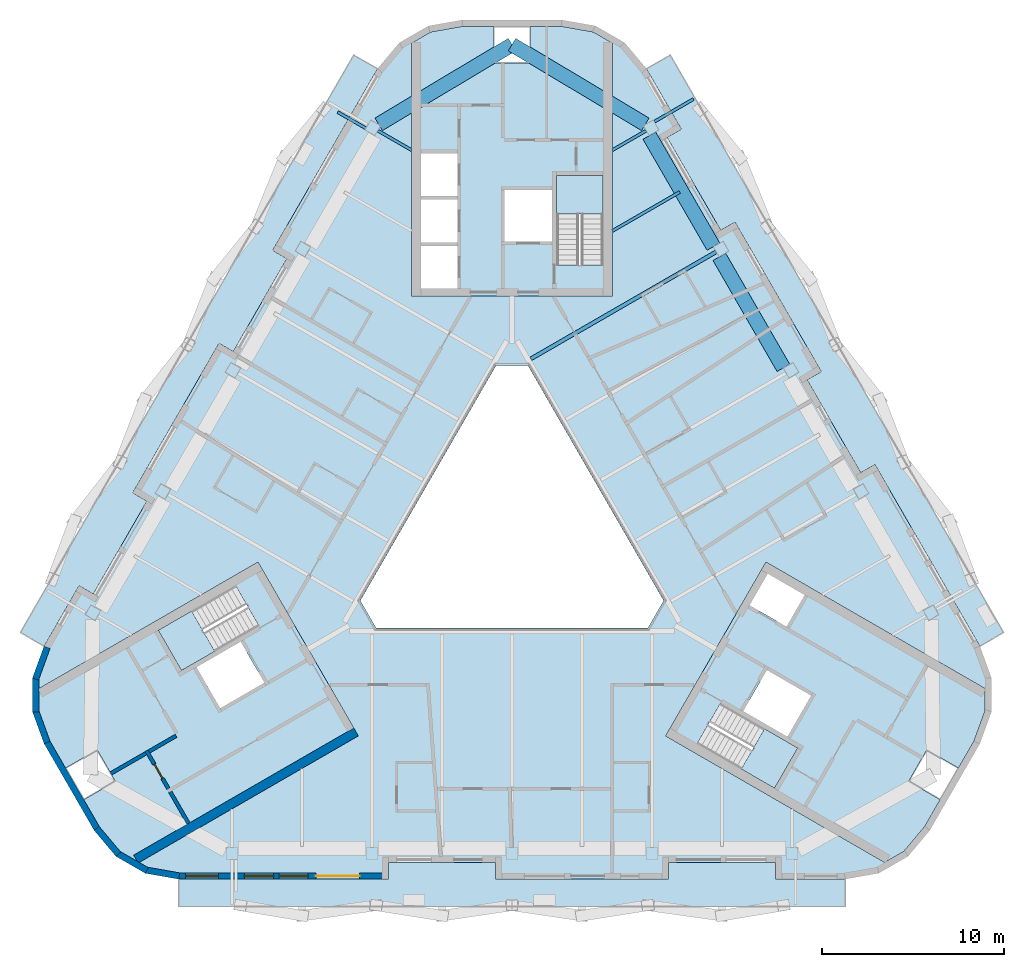
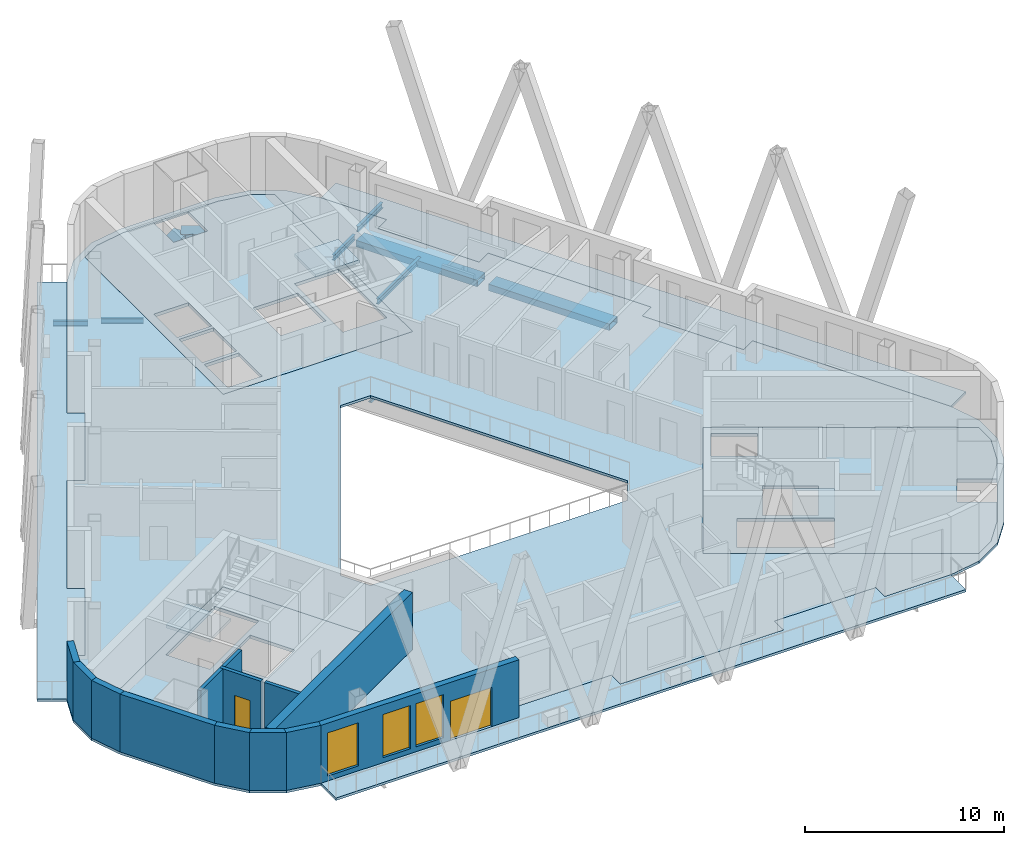
# One storey, part 2 of 14: 13 walls, 10 beams, 10 slabs, 3 windows, 2 doors, 5 openings, 3 elements without a shape of their own.
"""IFC4 building model written with IfcOpenShell, lengths in metres."""

from ifc_helpers import new_model, si_unit, direction, frame, frame_2d, origin, origin_2d, place, context, subcontext, project, spatial, polyline, rectangle, hollow_rectangle, i_section, outline, extrude, material, layer, layer_set, material_profile, profile_set, type_object, element, fill, aggregate, save


model = new_model("IFC4")

# Units and contexts
model_context = context("Model", 3, precision=1e-05, world=origin(), true_north=direction((0.0, 1.0)))
body_context = subcontext(model_context, "Body", "Model", "MODEL_VIEW")
ifc_project = project(units=[si_unit("LENGTHUNIT", "METRE"), si_unit("AREAUNIT", "SQUARE_METRE"), si_unit("VOLUMEUNIT", "CUBIC_METRE"), si_unit("PLANEANGLEUNIT", "RADIAN"), si_unit("MASSUNIT", "GRAM", prefix="KILO")], contexts=[model_context])

# Site, building, storey
site_placement = place(None, origin())
site = spatial("IfcSite", under=ifc_project, at=site_placement, CompositionType="ELEMENT")
building_placement = place(site_placement, origin())
building = spatial("IfcBuilding", under=site, at=building_placement, Name="Apuvela Tower Hotel", CompositionType="ELEMENT")
storey_placement = place(building_placement, frame((0.0, 0.0, 257.800048828125)))
storey = spatial("IfcBuildingStorey", under=building, at=storey_placement, Name="L63", CompositionType="ELEMENT", Elevation=257.800048828125)

# Beams
ifc_material_1 = material(Name="Steel S355", Category="steel")
ifc_material_profile_1 = material_profile(ifc_material_1, i_section(OverallWidth=0.159912109375, OverallDepth=0.330078125, WebThickness=0.007568359375, FlangeThickness=0.011474609375, at=origin_2d()), Name="IPE 330")
ifc_profile_set_1 = profile_set([ifc_material_profile_1], Name="Steel S355")
beam_type_1 = type_object("IfcBeamType", Name="ENV-BALCONY-BEAM-IPE330", PredefinedType="BEAM", material=ifc_profile_set_1)
beam_1_placement = place(storey_placement, frame((7.80615234375, 22.455078125, -0.31494140625), z_axis=(0.866031185235, 0.4999899861, 0.0), x_axis=(-0.4999899861, 0.866031185235, 0.0)))
element("IfcBeam", 1, at=beam_1_placement, inside=storey, type_object=beam_type_1, Name="Balcony cantilever beam NE3 L63", PredefinedType="BEAM", context=body_context, shape_type="SweptSolid", body=[
    extrude(i_section(OverallWidth=0.159912109375, OverallDepth=0.330078125, WebThickness=0.007568359375, FlangeThickness=0.011474609375, at=origin_2d()), origin(), (0.0, 0.0, 1.0), 2.47509765625),
])
beam_2_placement = place(storey_placement, frame((-8.01611328125, 22.09130859375, -0.31494140625), z_axis=(-0.866059624469, 0.499940723351, 0.0), x_axis=(-0.499940723351, -0.866059624469, 0.0)))
element("IfcBeam", 2, at=beam_2_placement, inside=storey, type_object=beam_type_1, Name="Balcony cantilever beam NW2 L63", PredefinedType="BEAM", context=body_context, shape_type="SweptSolid", body=[
    extrude(i_section(OverallWidth=0.159912109375, OverallDepth=0.330078125, WebThickness=0.007568359375, FlangeThickness=0.011474609375, at=origin_2d()), origin(), (0.0, 0.0, 1.0), 1.775146484375),
])
ifc_material_profile_2 = material_profile(ifc_material_1, i_section(OverallWidth=0.159912109375, OverallDepth=0.330078125, WebThickness=0.007568359375, FlangeThickness=0.011474609375, at=origin_2d()), Name="IPE 330")
ifc_profile_set_2 = profile_set([ifc_material_profile_2], Name="Steel S355")
beam_type_2 = type_object("IfcBeamType", Name="STR-B floor beam IPE 330", PredefinedType="BEAM", material=ifc_profile_set_2)
beam_3_placement = place(storey_placement, frame((9.1962890625, 18.597412109375, -0.31494140625), z_axis=(-0.866027461465, -0.499996435975, 0.0), x_axis=(0.499996435975, -0.866027461465, 0.0)))
element("IfcBeam", 3, at=beam_3_placement, inside=storey, type_object=beam_type_2, Name="Floor beam B1 NE8", PredefinedType="BEAM", context=body_context, shape_type="SweptSolid", body=[
    extrude(i_section(OverallWidth=0.159912109375, OverallDepth=0.330078125, WebThickness=0.007568359375, FlangeThickness=0.011474609375, at=origin_2d()), origin(), (0.0, 0.0, 1.0), 4.26806640625),
])
for number, where, z_axis, x_axis, name in (
    (4, (7.34326171875, 21.956787109375, -0.31494140625), (-0.866025132214, -0.500000470374, 0.0), (0.500000470374, -0.866025132214, 0.0), "Floor beam B1 NE9"),
    (5, (-7.34326171875, 21.956787109375, -0.31494140625), (0.866025132214, -0.500000470374, 0.0), (0.500000470374, 0.866025132214, 0.0), "Floor beam B1 NW1"),
):
    element("IfcBeam", number, at=place(storey_placement, frame(where, z_axis=z_axis, x_axis=x_axis)), inside=storey, type_object=beam_type_2, Name=name, PredefinedType="BEAM", context=body_context, shape_type="SweptSolid", body=[
        extrude(i_section(OverallWidth=0.159912109375, OverallDepth=0.330078125, WebThickness=0.007568359375, FlangeThickness=0.011474609375, at=origin_2d()), origin(), (0.0, 0.0, 1.0), 2.12841796875),
    ])
ifc_material_profile_3 = material_profile(ifc_material_1, i_section(OverallWidth=0.2099609375, OverallDepth=0.550048828125, WebThickness=0.010986328125, FlangeThickness=0.01708984375, at=origin_2d()), Name="IPE 550")
ifc_profile_set_3 = profile_set([ifc_material_profile_3], Name="Steel S355")
beam_type_3 = type_object("IfcBeamType", Name="STR-B floor beam IPE 550", PredefinedType="BEAM", material=ifc_profile_set_3)
beam_4_placement = place(storey_placement, frame((11.17919921875, 15.31298828125, -0.425048828125), z_axis=(-0.866026678465, -0.499997792181, 0.0), x_axis=(0.499997792181, -0.866026678465, 0.0)))
element("IfcBeam", 6, at=beam_4_placement, inside=storey, type_object=beam_type_3, Name="Floor beam B7 NE7", PredefinedType="BEAM", context=body_context, shape_type="SweptSolid", body=[
    extrude(i_section(OverallWidth=0.2099609375, OverallDepth=0.550048828125, WebThickness=0.010986328125, FlangeThickness=0.01708984375, at=origin_2d()), origin(), (0.0, 0.0, 1.0), 11.7177734375),
])
ifc_material_2 = material(Name="Steel S460", Category="steel")
ifc_material_profile_4 = material_profile(ifc_material_2, hollow_rectangle(XDim=0.800048828125, YDim=0.39990234375, WallThickness=0.02490234375, at=origin_2d()), Name="BOX 800x400x25")
ifc_profile_set_4 = profile_set([ifc_material_profile_4], Name="Steel S460")
beam_type_4 = type_object("IfcBeamType", Name="STR-RB perimeter ring beam BOX 800x400x25", PredefinedType="SPANDREL", material=ifc_profile_set_4)
for number, where, z_axis, x_axis, name in (
    (7, (14.874267578125, 8.962890625, -0.400146484375), (-0.500009374365, 0.866019991425, 0.0), (-0.866019991425, -0.500009374365, 0.0), "Ring beam RB1 NE3"),
    (8, (11.038330078125, 15.60693359375, -0.400146484375), (-0.500009374365, 0.866019991425, 0.0), (-0.866019991425, -0.500009374365, 0.0), "Ring beam RB1 NE4"),
):
    element("IfcBeam", number, at=place(storey_placement, frame(where, z_axis=z_axis, x_axis=x_axis)), inside=storey, type_object=beam_type_4, Name=name, PredefinedType="SPANDREL", context=body_context, shape_type="SweptSolid", body=[
        extrude(hollow_rectangle(XDim=0.800048828125, YDim=0.39990234375, WallThickness=0.02490234375, at=origin_2d()), origin(), (0.0, 0.0, 1.0), 7.021728515625),
    ])
for number, where, z_axis, x_axis, name in (
    (9, (7.305419921875, 22.310302734375, -0.400146484375), (-0.858387658138, 0.51300158709, 0.0), (-0.51300158709, -0.858387658138, 0.0), "Ring beam RB1 NE5-N"),
    (10, (-7.305419921875, 22.310302734375, -0.400146484375), (0.858387658138, 0.51300158709, 0.0), (-0.51300158709, 0.858387658138, 0.0), "Ring beam RB1 NW1-N"),
):
    element("IfcBeam", number, at=place(storey_placement, frame(where, z_axis=z_axis, x_axis=x_axis)), inside=storey, type_object=beam_type_4, Name=name, PredefinedType="SPANDREL", context=body_context, shape_type="SweptSolid", body=[
        extrude(hollow_rectangle(XDim=0.800048828125, YDim=0.39990234375, WallThickness=0.02490234375, at=origin_2d()), origin(), (0.0, 0.0, 1.0), 8.5107421875),
    ])

# Slabs
ifc_material_3 = material(Name="Concrete C50/60", Category="concrete")
ifc_layer_1 = layer(ifc_material_3, 0.199951171875)
ifc_layer_set_1 = layer_set([ifc_layer_1], Name="COR-FLOOR-200")
slab_type_1 = type_object("IfcSlabType", Name="COR-FLOOR-200", PredefinedType="FLOOR", material=ifc_layer_set_1)
slab_1_placement = place(storey_placement, frame((0.0, 0.0, -0.199951171875)))
element("IfcSlab", 11, at=slab_1_placement, inside=storey, type_object=slab_type_1, Name="Core floor N", PredefinedType="FLOOR", context=body_context, shape_type="SweptSolid", body=[
    extrude(outline(polyline([(5.5, 26.765380859375), (4.452392578125, 27.3701171875), (2.716796875, 27.67626953125), (1.0, 27.67626953125), (1.0, 25.67626953125), (-1.0, 25.67626953125), (-1.0, 27.67626953125), (-2.716796875, 27.67626953125), (-4.452392578125, 27.3701171875), (-5.5, 26.765380859375), (-5.5, 12.89990234375), (5.5, 12.89990234375), (5.5, 26.765380859375)]), holes=[polyline([(-3.0, 13.300048828125), (-5.0, 13.300048828125), (-5.0, 15.639892578125), (-3.0, 15.639892578125), (-3.0, 13.300048828125)]), polyline([(-3.0, 15.840087890625), (-5.0, 15.840087890625), (-5.0, 18.179931640625), (-3.0, 18.179931640625), (-3.0, 15.840087890625)]), polyline([(5.0, 14.60595703125), (2.449951171875, 14.60595703125), (2.449951171875, 19.5), (5.0, 19.5), (5.0, 14.60595703125)]), polyline([(2.199951171875, 18.699951171875), (2.199951171875, 15.89990234375), (-0.39990234375, 15.89990234375), (-0.39990234375, 18.699951171875), (2.199951171875, 18.699951171875)]), polyline([(-3.0, 20.719970703125), (-3.0, 18.3798828125), (-5.0, 18.3798828125), (-5.0, 20.719970703125), (-3.0, 20.719970703125)])]), origin(), (0.0, 0.0, 1.0), 0.199951171875),
])
slab_2_placement = place(storey_placement, frame((0.0, 0.0, -0.199951171875)))
element("IfcSlab", 12, at=slab_2_placement, inside=storey, type_object=slab_type_1, Name="Core floor SW", PredefinedType="FLOOR", context=body_context, shape_type="SweptSolid", body=[
    extrude(outline(polyline([(-25.929443359375, -8.61962890625), (-25.929443359375, -9.8291015625), (-25.32666015625, -11.4853515625), (-24.468505859375, -12.97216796875), (-22.736328125, -11.97216796875), (-21.736328125, -13.7041015625), (-23.468505859375, -14.7041015625), (-23.2412109375, -15.097900390625), (-22.610107421875, -16.19091796875), (-21.47705078125, -17.541015625), (-20.429443359375, -18.145751953125), (-8.421630859375, -11.213134765625), (-13.921630859375, -1.68701171875), (-25.929443359375, -8.61962890625)]), holes=[polyline([(-13.874267578125, -5.18115234375), (-18.112548828125, -7.628173828125), (-19.387451171875, -5.419921875), (-15.149169921875, -2.972900390625), (-13.874267578125, -5.18115234375)]), polyline([(-13.56982421875, -8.29638671875), (-15.99462890625, -9.6962890625), (-17.294677734375, -7.444580078125), (-14.869873046875, -6.044677734375), (-13.56982421875, -8.29638671875)])]), origin(), (0.0, 0.0, 1.0), 0.199951171875),
])
slab_3_placement = place(storey_placement, frame((0.0, 0.0, -0.199951171875)))
element("IfcSlab", 13, at=slab_3_placement, inside=storey, type_object=slab_type_1, Name="Core floor SE", PredefinedType="FLOOR", context=body_context, shape_type="SweptSolid", body=[
    extrude(outline(polyline([(20.429443359375, -18.145751953125), (21.47705078125, -17.541015625), (22.610107421875, -16.19091796875), (23.468505859375, -14.7041015625), (21.736328125, -13.7041015625), (22.736328125, -11.97216796875), (24.468505859375, -12.97216796875), (25.32666015625, -11.4853515625), (25.929443359375, -9.8291015625), (25.929443359375, -8.61962890625), (13.921630859375, -1.68701171875), (8.421630859375, -11.213134765625), (20.429443359375, -18.145751953125)]), holes=[polyline([(14.01806640625, -2.31982421875), (16.044677734375, -3.489990234375), (15.044677734375, -5.221923828125), (13.01806640625, -4.052001953125), (14.01806640625, -2.31982421875)]), polyline([(10.149169921875, -11.633056640625), (11.42431640625, -9.4248046875), (15.66259765625, -11.871826171875), (14.387451171875, -14.080078125), (10.149169921875, -11.633056640625)]), polyline([(12.669921875, -9.855224609375), (13.9697265625, -7.603515625), (16.394775390625, -9.003662109375), (15.0947265625, -11.25537109375), (12.669921875, -9.855224609375)])]), origin(), (0.0, 0.0, 1.0), 0.199951171875),
])

# Stair, slab
stair_type = type_object("IfcStairType", Name="COR-STAIR-22R", PredefinedType="HALF_TURN_STAIR", material=ifc_material_3)
stair_1_placement = place(storey_placement, origin())
stair_1 = element("IfcStair", 14, at=stair_1_placement, inside=storey, type_object=stair_type, Name="L63 Exit stair ST1", PredefinedType="HALF_TURN_STAIR")
ifc_layer_2 = layer(ifc_material_3, 0.199951171875)
ifc_layer_set_2 = layer_set([ifc_layer_2], Name="COR-LANDING-200")
slab_type_2 = type_object("IfcSlabType", Name="COR-LANDING-200", PredefinedType="LANDING", material=ifc_layer_set_2)
slab_4_placement = place(storey_placement, frame((0.0, 0.0, 1.64990234375)))
slab_4 = element("IfcSlab", 15, at=slab_4_placement, type_object=slab_type_2, Name="ST1 landing 1", PredefinedType="LANDING", context=body_context, shape_type="SweptSolid", body=[
    extrude(outline(polyline([(5.0, 17.39404296875), (5.0, 19.5), (2.449951171875, 19.5), (2.449951171875, 17.39404296875), (5.0, 17.39404296875)])), origin(), (0.0, 0.0, 1.0), 0.199951171875),
])
aggregate(stair_1, [slab_4])

stair_2_placement = place(storey_placement, origin())
stair_2 = element("IfcStair", 16, at=stair_2_placement, inside=storey, type_object=stair_type, Name="L63 Exit stair ST2", PredefinedType="HALF_TURN_STAIR")
slab_5_placement = place(storey_placement, frame((0.0, 0.0, 1.64990234375)))
slab_5 = element("IfcSlab", 17, at=slab_5_placement, type_object=slab_type_2, Name="ST2 landing 1", PredefinedType="LANDING", context=body_context, shape_type="SweptSolid", body=[
    extrude(outline(polyline([(-17.563720703125, -4.366943359375), (-19.387451171875, -5.419921875), (-18.112548828125, -7.628173828125), (-16.28857421875, -6.5751953125), (-17.563720703125, -4.366943359375)])), origin(), (0.0, 0.0, 1.0), 0.199951171875),
])
aggregate(stair_2, [slab_5])

stair_3_placement = place(storey_placement, origin())
stair_3 = element("IfcStair", 18, at=stair_3_placement, inside=storey, type_object=stair_type, Name="L63 Exit stair ST3", PredefinedType="HALF_TURN_STAIR")
slab_6_placement = place(storey_placement, frame((0.0, 0.0, 1.64990234375)))
slab_6 = element("IfcSlab", 19, at=slab_6_placement, type_object=slab_type_2, Name="ST3 landing 1", PredefinedType="LANDING", context=body_context, shape_type="SweptSolid", body=[
    extrude(outline(polyline([(12.563720703125, -13.027099609375), (14.387451171875, -14.080078125), (15.66259765625, -11.871826171875), (13.838623046875, -10.81884765625), (12.563720703125, -13.027099609375)])), origin(), (0.0, 0.0, 1.0), 0.199951171875),
])
aggregate(stair_3, [slab_6])

# Slabs
ifc_material_4 = material(Name="Concrete C40/50, fair-faced", Category="concrete")
ifc_layer_3 = layer(ifc_material_4, 0.14990234375)
ifc_layer_set_3 = layer_set([ifc_layer_3], Name="ENV-BALCONY-150")
slab_type_3 = type_object("IfcSlabType", Name="ENV-BALCONY-150", PredefinedType="FLOOR", material=ifc_layer_set_3)
slab_7_placement = place(storey_placement, frame((0.0, 0.0, -0.150146484375)))
element("IfcSlab", 20, at=slab_7_placement, inside=storey, type_object=slab_type_3, Name="Balcony slab S L63", PredefinedType="FLOOR", context=body_context, shape_type="SweptSolid", body=[
    extrude(outline(polyline([(18.27734375, -20.56787109375), (-18.27734375, -20.56787109375), (-18.27734375, -19.057861328125), (-6.77685546875, -19.057861328125), (-6.77685546875, -18.157958984375), (-0.89501953125, -18.157958984375), (-0.89501953125, -19.057861328125), (8.56689453125, -19.057861328125), (8.56689453125, -18.157958984375), (14.448486328125, -18.157958984375), (14.448486328125, -19.057861328125), (18.27734375, -19.057861328125), (18.27734375, -20.56787109375)])), origin(), (0.0, 0.0, 1.0), 0.150146484375),
])
slab_8_placement = place(storey_placement, frame((0.0, 0.0, -0.150146484375)))
element("IfcSlab", 21, at=slab_8_placement, inside=storey, type_object=slab_type_3, Name="Balcony slab NE L63", PredefinedType="FLOOR", context=body_context, shape_type="SweptSolid", body=[
    extrude(outline(polyline([(16.9521484375, 8.75390625), (12.22119140625, 16.947998046875), (11.44189453125, 16.498046875), (8.5009765625, 21.591796875), (9.280517578125, 22.041748046875), (7.365966796875, 25.357666015625), (8.673583984375, 26.112548828125), (26.950927734375, -5.544677734375), (25.643310546875, -6.299560546875), (19.89306640625, 3.66015625), (19.113525390625, 3.210205078125), (16.172607421875, 8.303955078125), (16.9521484375, 8.75390625)])), origin(), (0.0, 0.0, 1.0), 0.150146484375),
])
slab_9_placement = place(storey_placement, frame((0.0, 0.0, -0.150146484375)))
element("IfcSlab", 22, at=slab_9_placement, inside=storey, type_object=slab_type_3, Name="Balcony slab NW L63", PredefinedType="FLOOR", context=body_context, shape_type="SweptSolid", body=[
    extrude(outline(polyline([(-26.950927734375, -5.544677734375), (-8.673583984375, 26.112548828125), (-7.365966796875, 25.357421875), (-13.1162109375, 15.397705078125), (-12.3369140625, 14.94775390625), (-15.277587890625, 9.85400390625), (-16.05712890625, 10.303955078125), (-20.7880859375, 2.10986328125), (-20.008544921875, 1.659912109375), (-22.949462890625, -3.433837890625), (-23.72900390625, -2.98388671875), (-25.643310546875, -6.2998046875), (-26.950927734375, -5.544677734375)])), origin(), (0.0, 0.0, 1.0), 0.150146484375),
])
ifc_material_5 = material(Name="Concrete C35/45", Category="concrete")
ifc_layer_4 = layer(ifc_material_5, 0.14990234375)
ifc_layer_set_4 = layer_set([ifc_layer_4], Name="STR-SLAB 150 floor Concrete C35/45")
slab_type_4 = type_object("IfcSlabType", Name="STR-SLAB 150 floor Concrete C35/45", PredefinedType="FLOOR", material=ifc_layer_set_4)
slab_10_placement = place(storey_placement, frame((0.0, 0.0, -0.150146484375)))
element("IfcSlab", 23, at=slab_10_placement, inside=storey, type_object=slab_type_4, Name="Floor slab S4 L63", PredefinedType="FLOOR", context=body_context, shape_type="SweptSolid", body=[
    extrude(outline(polyline([(-6.180419921875, 26.776611328125), (-4.57421875, 27.7041015625), (-2.747314453125, 28.0263671875), (2.747314453125, 28.0263671875), (4.57421875, 27.7041015625), (6.180419921875, 26.776611328125), (7.372802734375, 25.355712890625), (9.287109375, 22.039794921875), (8.5078125, 21.58984375), (11.443603515625, 16.5048828125), (12.22314453125, 16.954833984375), (16.958984375, 8.752197265625), (16.179443359375, 8.302001953125), (19.115478515625, 3.216796875), (19.89501953125, 3.6669921875), (25.64501953125, -6.292724609375), (26.279541015625, -8.035888671875), (26.279541015625, -9.890869140625), (25.64501953125, -11.6337890625), (22.897705078125, -16.392333984375), (21.70556640625, -17.813232421875), (20.09912109375, -18.74072265625), (18.272216796875, -19.06298828125), (14.443603515625, -19.06298828125), (14.443603515625, -18.162841796875), (8.57177734375, -18.162841796875), (8.57177734375, -19.06298828125), (-0.89990234375, -19.06298828125), (-0.89990234375, -18.162841796875), (-6.771728515625, -18.162841796875), (-6.771728515625, -19.06298828125), (-18.272216796875, -19.06298828125), (-20.09912109375, -18.74072265625), (-21.70556640625, -17.813232421875), (-22.897705078125, -16.392333984375), (-25.64501953125, -11.6337890625), (-26.279541015625, -9.890869140625), (-26.279541015625, -8.035888671875), (-25.64501953125, -6.292724609375), (-23.730712890625, -2.97705078125), (-22.951416015625, -3.427001953125), (-20.015380859375, 1.657958984375), (-20.794921875, 2.10791015625), (-16.05908203125, 10.310791015625), (-15.279541015625, 9.86083984375), (-12.34375, 14.946044921875), (-13.123046875, 15.39599609375), (-7.372802734375, 25.355712890625), (-6.180419921875, 26.776611328125)]), holes=[polyline([(0.865966796875, 9.10009765625), (-0.865966796875, 9.10009765625), (-8.313720703125, -3.800048828125), (-7.44775390625, -5.300048828125), (7.44775390625, -5.300048828125), (8.313720703125, -3.800048828125), (0.865966796875, 9.10009765625)]), polyline([(-5.5, 12.89990234375), (-5.5, 26.765380859375), (-4.452392578125, 27.3701171875), (-2.716796875, 27.67626953125), (2.716796875, 27.67626953125), (4.452392578125, 27.3701171875), (5.5, 26.765380859375), (5.5, 12.89990234375), (-5.5, 12.89990234375)]), polyline([(-8.421630859375, -11.213134765625), (-20.429443359375, -18.145751953125), (-21.47705078125, -17.541015625), (-22.610107421875, -16.19091796875), (-23.2412109375, -15.097900390625), (-25.32666015625, -11.4853515625), (-25.929443359375, -9.8291015625), (-25.929443359375, -8.61962890625), (-13.921630859375, -1.68701171875), (-8.421630859375, -11.213134765625)]), polyline([(13.921630859375, -1.68701171875), (25.929443359375, -8.61962890625), (25.929443359375, -9.8291015625), (25.32666015625, -11.4853515625), (22.610107421875, -16.19091796875), (21.47705078125, -17.541015625), (20.429443359375, -18.145751953125), (8.421630859375, -11.213134765625), (13.921630859375, -1.68701171875)])]), origin(), (0.0, 0.0, 1.0), 0.150146484375),
])

# Wall
ifc_layer_5 = layer(ifc_material_3, 0.5)
ifc_layer_set_5 = layer_set([ifc_layer_5], Name="COR-WALL-CORE-500")
wall_type_1 = type_object("IfcWallType", Name="COR-WALL-CORE-500", PredefinedType="SHEAR", material=ifc_layer_set_5)
wall_1_placement = place(storey_placement, frame((-8.546630859375, -10.99658203125, 0.0), z_axis=(0.0, 0.0, 1.0), x_axis=(-0.86602744543, -0.49999646375, 0.0)))
element("IfcWall", 24, at=wall_1_placement, inside=storey, type_object=wall_type_1, Name="Core wall SW", PredefinedType="SHEAR", context=body_context, shape_type="SweptSolid", body=[
    extrude(rectangle(XDim=13.93408203125, YDim=0.5, at=frame_2d((6.967041015625, 0.0))), origin(), (0.0, 0.0, 1.0), 3.5),
])

# Wall, opening, door
ifc_layer_6 = layer(ifc_material_3, 0.199951171875)
ifc_layer_set_6 = layer_set([ifc_layer_6], Name="COR-WALL-SHAFT-200")
wall_type_2 = type_object("IfcWallType", Name="COR-WALL-SHAFT-200", PredefinedType="SHEAR", material=ifc_layer_set_6)
wall_2_placement = place(storey_placement, frame((-20.030517578125, -12.0263671875, 0.0), z_axis=(0.0, 0.0, 1.0), x_axis=(0.500033551112, -0.866006032174, 0.0)))
wall_2 = element("IfcWall", 25, at=wall_2_placement, inside=storey, type_object=wall_type_2, Name="Shaft wall SW", PredefinedType="SHEAR", context=body_context, shape_type="SweptSolid", body=[
    extrude(rectangle(XDim=2.400146484375, YDim=0.199951171875, at=frame_2d((1.2001953125, 0.0))), origin(), (0.0, 0.0, 1.0), 3.5),
])
opening_1_placement = place(wall_2_placement, frame((0.85009765625, 0.0, 0.0)))
opening_1 = element("IfcOpeningElement", 26, at=opening_1_placement, cuts=wall_2, Name="Opening W-REP", PredefinedType="OPENING", context=body_context, shape_type="SweptSolid", body=[
    extrude(rectangle(XDim=0.89990234375, YDim=2.10009765625, at=frame_2d((0.449951171875, 1.050048828125))), frame((0.0, 0.10986328125, 0.0), z_axis=(0.0, -1.0, 0.0), x_axis=(1.0, 0.0, 0.0)), (0.0, 0.0, 1.0), 0.219970703125),
])
ifc_material_6 = material(Name="Steel fire door, powder coated", Category="steel")
door_type_1 = type_object("IfcDoorType", Name="COR-DR-900", OperationType="NOTDEFINED", PredefinedType="DOOR", material=ifc_material_6)
door_1_placement = place(opening_1_placement, frame((0.89990234375, 0.0, 0.0), z_axis=(0.0, 0.0, 1.0), x_axis=(-1.0, 0.0, 0.0)))
door_1 = element("IfcDoor", 27, at=door_1_placement, inside=storey, type_object=door_type_1, Name="Store door W-REP", OperationType="SINGLE_SWING_LEFT", OverallHeight=2.10009765625, OverallWidth=0.89990234375, PredefinedType="DOOR", context=body_context, shape_type="SweptSolid", body=[
    extrude(rectangle(XDim=0.89990234375, YDim=2.10009765625, at=frame_2d((0.449951171875, 1.050048828125))), frame((0.0, 0.02490234375, 0.0), z_axis=(0.0, -1.0, 0.0), x_axis=(1.0, 0.0, 0.0)), (0.0, 0.0, 1.0), 0.050048828125),
])
fill(opening_1, door_1)

# Walls
wall_3_placement = place(storey_placement, frame((-18.412841796875, -11.2080078125, 0.0), z_axis=(0.0, 0.0, 1.0), x_axis=(-0.866038183914, -0.499977863513, 0.0)))
element("IfcWall", 28, at=wall_3_placement, inside=storey, type_object=wall_type_2, Name="Shaft wall SW", PredefinedType="SHEAR", context=body_context, shape_type="SweptSolid", body=[
    extrude(rectangle(XDim=1.7099609375, YDim=0.199951171875, at=frame_2d((0.85498046875, 0.0))), origin(), (0.0, 0.0, 1.0), 3.5),
])
wall_4_placement = place(storey_placement, frame((-18.73046875, -14.278076171875, 0.0), z_axis=(0.0, 0.0, 1.0), x_axis=(0.50002537861, -0.866010750942, 0.0)))
element("IfcWall", 29, at=wall_4_placement, inside=storey, type_object=wall_type_2, Name="Shaft wall SW", PredefinedType="SHEAR", context=body_context, shape_type="SweptSolid", body=[
    extrude(rectangle(XDim=2.0, YDim=0.199951171875, at=frame_2d((1.0, 0.0))), origin(), (0.0, 0.0, 1.0), 3.5),
])
wall_5_placement = place(storey_placement, frame((-20.06689453125, -12.1630859375, 0.0), z_axis=(0.0, 0.0, 1.0), x_axis=(-0.866079196458, -0.49990681678, 0.0)))
element("IfcWall", 30, at=wall_5_placement, inside=storey, type_object=wall_type_2, Name="Shaft wall SW", PredefinedType="SHEAR", context=body_context, shape_type="SweptSolid", body=[
    extrude(rectangle(XDim=2.21630859375, YDim=0.199951171875, at=frame_2d((1.108154296875, 0.0))), origin(), (0.0, 0.0, 1.0), 3.5),
])
ifc_material_7 = material(Name="Concrete C40/50, dark pigmented precast panel", Category="concrete")
ifc_layer_7 = layer(ifc_material_7, 0.35009765625)
ifc_layer_set_7 = layer_set([ifc_layer_7], Name="ENV-WALL-350")
wall_type_3 = type_object("IfcWallType", Name="ENV-WALL-350", PredefinedType="SOLIDWALL", material=ifc_layer_set_7)
for number, where, z_axis, x_axis, name in (
    (31, (-25.480712890625, -6.3525390625, 0.0), (0.0, 0.0, 1.0), (-0.341933271996, -0.939724234817, 0.0), "External wall L63-10"),
    (32, (-26.1044921875, -8.035888671875, 0.0), (0.0, 0.0, 1.0), (0.0, -1.0, 0.0), "External wall L63-11"),
):
    element("IfcWall", number, at=place(storey_placement, frame(where, z_axis=z_axis, x_axis=x_axis)), inside=storey, type_object=wall_type_3, Name=name, PredefinedType="SOLIDWALL", context=body_context, shape_type="SweptSolid", body=[
        extrude(rectangle(XDim=1.85498046875, YDim=0.35009765625, at=frame_2d((0.927490234375, 0.0))), origin(), (0.0, 0.0, 1.0), 3.550048828125),
    ])
wall_6_placement = place(storey_placement, frame((-26.114990234375, -9.830810546875, 0.0), z_axis=(0.0, 0.0, 1.0), x_axis=(0.341890986265, -0.93973962006, 0.0)))
element("IfcWall", 33, at=wall_6_placement, inside=storey, type_object=wall_type_3, Name="External wall L63-12", PredefinedType="SOLIDWALL", context=body_context, shape_type="SweptSolid", body=[
    extrude(rectangle(XDim=1.855224609375, YDim=0.35009765625, at=frame_2d((0.927734375, 0.0))), origin(), (0.0, 0.0, 1.0), 3.550048828125),
])
wall_7_placement = place(storey_placement, frame((-25.49365234375, -11.54638671875, 0.0), z_axis=(0.0, 0.0, 1.0), x_axis=(0.500028854569, -0.86600874395, 0.0)))
element("IfcWall", 34, at=wall_7_placement, inside=storey, type_object=wall_type_3, Name="External wall L63-13", PredefinedType="SOLIDWALL", context=body_context, shape_type="SweptSolid", body=[
    extrude(rectangle(XDim=5.494873046875, YDim=0.35009765625, at=frame_2d((2.74755859375, 0.0))), origin(), (0.0, 0.0, 1.0), 3.550048828125),
])
for number, where, z_axis, x_axis, name in (
    (35, (-22.763671875, -16.27978515625, 0.0), (0.0, 0.0, 1.0), (0.642744363867, -0.76608072859, 0.0), "External wall L63-14"),
    (36, (-21.617919921875, -17.661865234375, 0.0), (0.0, 0.0, 1.0), (0.866080385203, -0.499904757295, 0.0), "External wall L63-15"),
):
    element("IfcWall", number, at=place(storey_placement, frame(where, z_axis=z_axis, x_axis=x_axis)), inside=storey, type_object=wall_type_3, Name=name, PredefinedType="SOLIDWALL", context=body_context, shape_type="SweptSolid", body=[
        extrude(rectangle(XDim=1.854736328125, YDim=0.35009765625, at=frame_2d((0.92724609375, 0.0))), origin(), (0.0, 0.0, 1.0), 3.550048828125),
    ])
wall_8_placement = place(storey_placement, frame((-20.068603515625, -18.568359375, 0.0), z_axis=(0.0, 0.0, 1.0), x_axis=(0.984791508075, -0.173740282098, 0.0)))
element("IfcWall", 37, at=wall_8_placement, inside=storey, type_object=wall_type_3, Name="External wall L63-16", PredefinedType="SOLIDWALL", context=body_context, shape_type="SweptSolid", body=[
    extrude(rectangle(XDim=1.85498046875, YDim=0.35009765625, at=frame_2d((0.927490234375, 0.0))), origin(), (0.0, 0.0, 1.0), 3.550048828125),
])

# Wall, openings, door, windows
wall_9_placement = place(storey_placement, frame((-18.272216796875, -18.887939453125, 0.0), z_axis=(0.0, 0.0, 1.0), x_axis=(1.0, 0.0, 0.0)))
wall_9 = element("IfcWall", 38, at=wall_9_placement, inside=storey, type_object=wall_type_3, Name="External wall L63-17", PredefinedType="SOLIDWALL", context=body_context, shape_type="SweptSolid", body=[
    extrude(rectangle(XDim=11.50048828125, YDim=0.35009765625, at=frame_2d((5.750244140625, 0.0))), origin(), (0.0, 0.0, 1.0), 3.550048828125),
])
opening_2_placement = place(wall_9_placement, frame((0.380126953125, 0.0, 0.300048828125)))
opening_2 = element("IfcOpeningElement", 39, at=opening_2_placement, cuts=wall_9, Name="Opening WN18", PredefinedType="OPENING", context=body_context, shape_type="SweptSolid", body=[
    extrude(rectangle(XDim=1.800048828125, YDim=2.64990234375, at=frame_2d((0.89990234375, 1.324951171875))), frame((0.0, 0.18505859375, 0.0), z_axis=(0.0, -1.0, 0.0), x_axis=(1.0, 0.0, 0.0)), (0.0, 0.0, 1.0), 0.3701171875),
])
opening_3_placement = place(wall_9_placement, frame((7.525146484375, 0.0, 0.0)))
opening_3 = element("IfcOpeningElement", 40, at=opening_3_placement, cuts=wall_9, Name="Opening BD24", PredefinedType="OPENING", context=body_context, shape_type="SweptSolid", body=[
    extrude(rectangle(XDim=2.39990234375, YDim=2.39990234375, at=frame_2d((1.199951171875, 1.199951171875))), frame((0.0, 0.18505859375, 0.0), z_axis=(0.0, -1.0, 0.0), x_axis=(1.0, 0.0, 0.0)), (0.0, 0.0, 1.0), 0.3701171875),
])
opening_4_placement = place(wall_9_placement, frame((3.603759765625, 0.0, 0.300048828125)))
opening_4 = element("IfcOpeningElement", 41, at=opening_4_placement, cuts=wall_9, Name="Opening WN16", PredefinedType="OPENING", context=body_context, shape_type="SweptSolid", body=[
    extrude(rectangle(XDim=1.60009765625, YDim=2.64990234375, at=frame_2d((0.800048828125, 1.324951171875))), frame((0.0, 0.18505859375, 0.0), z_axis=(0.0, -1.0, 0.0), x_axis=(1.0, 0.0, 0.0)), (0.0, 0.0, 1.0), 0.3701171875),
])
opening_5_placement = place(wall_9_placement, frame((5.50390625, 0.0, 0.300048828125)))
opening_5 = element("IfcOpeningElement", 42, at=opening_5_placement, cuts=wall_9, Name="Opening WN16", PredefinedType="OPENING", context=body_context, shape_type="SweptSolid", body=[
    extrude(rectangle(XDim=1.60009765625, YDim=2.64990234375, at=frame_2d((0.800048828125, 1.324951171875))), frame((0.0, 0.18505859375, 0.0), z_axis=(0.0, -1.0, 0.0), x_axis=(1.0, 0.0, 0.0)), (0.0, 0.0, 1.0), 0.3701171875),
])
ifc_material_8 = material(Name="Aluminium 6063-T6, dark bronze anodised frame with dark tinted laminated glass", Category="aluminium")
door_type_2 = type_object("IfcDoorType", Name="ENV-DOOR-BALCONY-2400x2400", OperationType="SLIDING_TO_LEFT", PredefinedType="DOOR", material=ifc_material_8)
door_2_placement = place(opening_3_placement, frame((2.39990234375, 0.0, 0.0), z_axis=(0.0, 0.0, 1.0), x_axis=(-1.0, 0.0, 0.0)))
door_2 = element("IfcDoor", 43, at=door_2_placement, inside=storey, type_object=door_type_2, Name="Balcony door BD24", OperationType="SLIDING_TO_LEFT", OverallHeight=2.39990234375, OverallWidth=2.39990234375, PredefinedType="DOOR", context=body_context, shape_type="SweptSolid", body=[
    extrude(rectangle(XDim=2.39990234375, YDim=2.39990234375, at=frame_2d((1.199951171875, 1.199951171875))), frame((0.0, 0.02490234375, 0.0), z_axis=(0.0, -1.0, 0.0), x_axis=(1.0, 0.0, 0.0)), (0.0, 0.0, 1.0), 0.050048828125),
])
fill(opening_3, door_2)
ifc_material_9 = material(Name="Glass, dark tinted laminated insulated glazing unit", Category="glass")
window_type_1 = type_object("IfcWindowType", Name="ENV-WIN-1600x2650", PartitioningType="SINGLE_PANEL", PredefinedType="WINDOW", material=ifc_material_9)
window_1_placement = place(opening_4_placement, origin())
window_1 = element("IfcWindow", 44, at=window_1_placement, inside=storey, type_object=window_type_1, Name="Window WN16", OverallHeight=2.64990234375, OverallWidth=1.60009765625, PartitioningType="SINGLE_PANEL", PredefinedType="WINDOW", context=body_context, shape_type="SweptSolid", body=[
    extrude(rectangle(XDim=1.60009765625, YDim=2.64990234375, at=frame_2d((0.800048828125, 1.324951171875))), frame((0.0, 0.030029296875, 0.0), z_axis=(0.0, -1.0, 0.0), x_axis=(1.0, 0.0, 0.0)), (0.0, 0.0, 1.0), 0.06005859375),
])
fill(opening_4, window_1)
window_2_placement = place(opening_5_placement, origin())
window_2 = element("IfcWindow", 45, at=window_2_placement, inside=storey, type_object=window_type_1, Name="Window WN16", OverallHeight=2.64990234375, OverallWidth=1.60009765625, PartitioningType="SINGLE_PANEL", PredefinedType="WINDOW", context=body_context, shape_type="SweptSolid", body=[
    extrude(rectangle(XDim=1.60009765625, YDim=2.64990234375, at=frame_2d((0.800048828125, 1.324951171875))), frame((0.0, 0.030029296875, 0.0), z_axis=(0.0, -1.0, 0.0), x_axis=(1.0, 0.0, 0.0)), (0.0, 0.0, 1.0), 0.06005859375),
])
fill(opening_5, window_2)
window_type_2 = type_object("IfcWindowType", Name="ENV-WIN-1800x2650", PartitioningType="SINGLE_PANEL", PredefinedType="WINDOW", material=ifc_material_9)
window_3_placement = place(opening_2_placement, origin())
window_3 = element("IfcWindow", 46, at=window_3_placement, inside=storey, type_object=window_type_2, Name="Window WN18", OverallHeight=2.64990234375, OverallWidth=1.800048828125, PartitioningType="SINGLE_PANEL", PredefinedType="WINDOW", context=body_context, shape_type="SweptSolid", body=[
    extrude(rectangle(XDim=1.800048828125, YDim=2.64990234375, at=frame_2d((0.89990234375, 1.324951171875))), frame((0.0, 0.030029296875, 0.0), z_axis=(0.0, -1.0, 0.0), x_axis=(1.0, 0.0, 0.0)), (0.0, 0.0, 1.0), 0.06005859375),
])
fill(opening_2, window_3)

save(model, "model.ifc")
